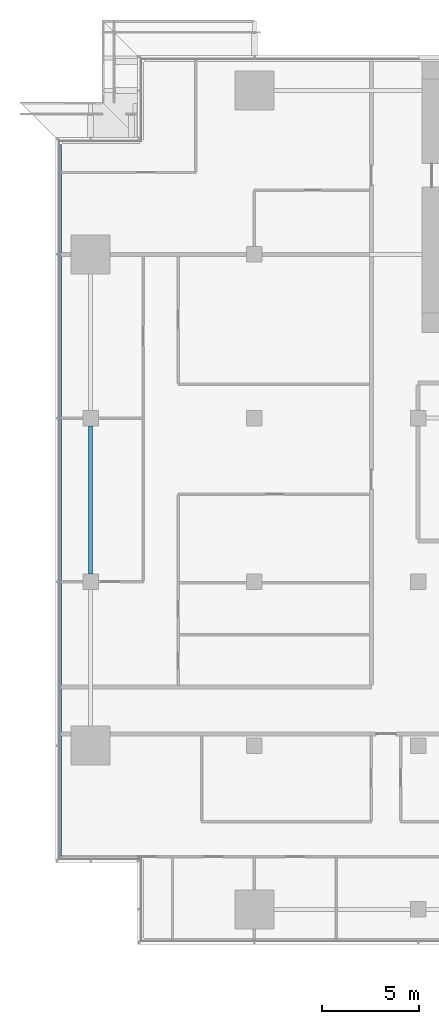
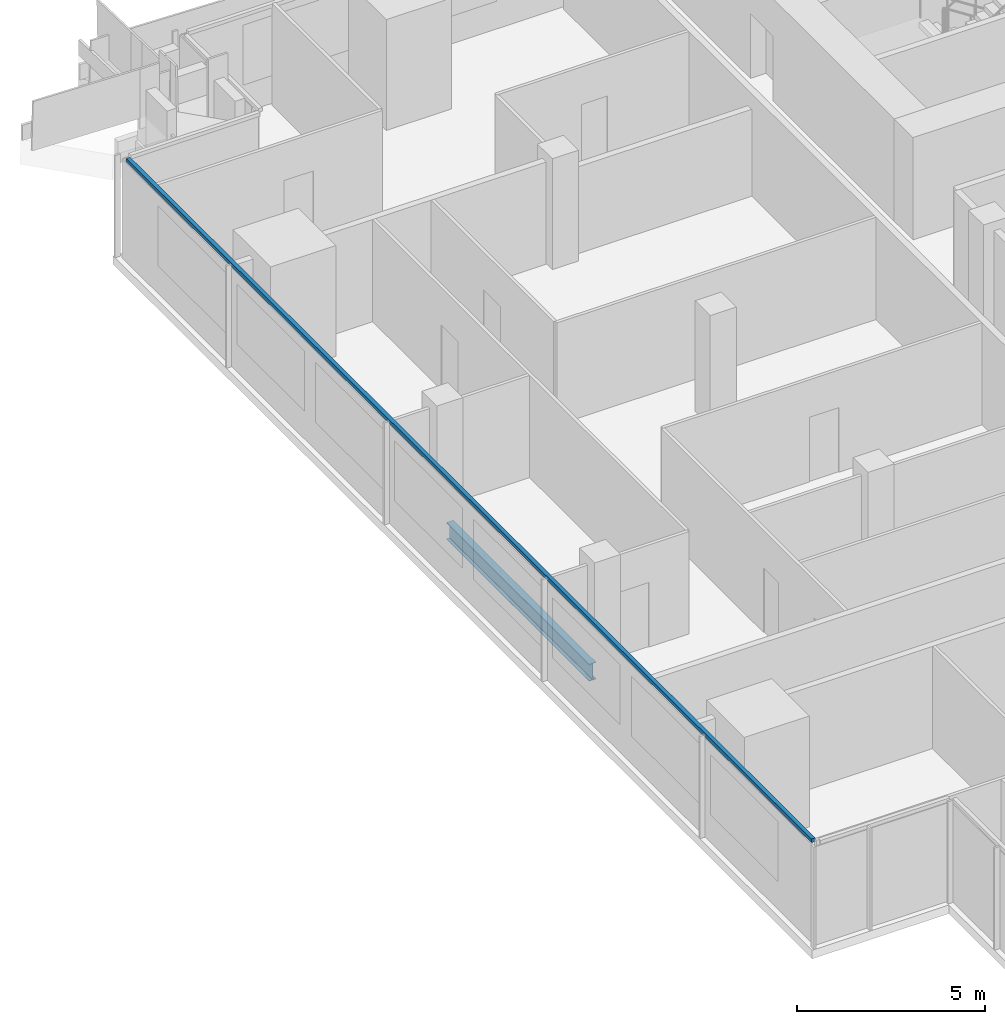
# One storey, part 5 of 30: 1 beam, 1 member, 1 element without a shape of its own.
"""IFC4 building model written with IfcOpenShell, lengths in metres."""

from ifc_helpers import new_model, si_unit, direction, frame, origin, origin_2d, place, context, subcontext, project, spatial, rectangle, i_section, extrude, material, material_profile, profile_set, type_object, element, aggregate, save


model = new_model("IFC4")

# Units and contexts
model_context = context("Model", 3, precision=1e-05, world=origin(), true_north=direction((0.0, 1.0)))
body_context = subcontext(model_context, "Body", "Model", "MODEL_VIEW")
ifc_project = project(units=[si_unit("LENGTHUNIT", "METRE"), si_unit("AREAUNIT", "SQUARE_METRE"), si_unit("VOLUMEUNIT", "CUBIC_METRE"), si_unit("PLANEANGLEUNIT", "RADIAN"), si_unit("MASSUNIT", "GRAM", prefix="KILO")], contexts=[model_context])

# Site, building, storey
site_placement = place(None, origin())
site = spatial("IfcSite", under=ifc_project, at=site_placement, CompositionType="ELEMENT")
building_placement = place(site_placement, origin())
building = spatial("IfcBuilding", under=site, at=building_placement, Name="Saffron Gate Tower", CompositionType="ELEMENT")
storey_placement = place(building_placement, frame((0.0, 0.0, 127.64990234375)))
storey = spatial("IfcBuildingStorey", under=building, at=storey_placement, Name="L30", CompositionType="ELEMENT", Elevation=127.64990234375)

# Beam
ifc_material_1 = material(Name="Structural steel S355", Category="steel")
ifc_material_profile_1 = material_profile(ifc_material_1, i_section(OverallWidth=0.2099609375, OverallDepth=0.550048828125, WebThickness=0.010986328125, FlangeThickness=0.01708984375, FilletRadius=0.02392578125, at=origin_2d()))
ifc_profile_set_1 = profile_set([ifc_material_profile_1], Name="Structural steel S355")
beam_type = type_object("IfcBeamType", Name="B13 IPE 550", PredefinedType="SPANDREL", material=ifc_profile_set_1)
beam_placement = place(storey_placement, frame((49.800048828125, 49.0, -0.554931640625), z_axis=(0.0, 1.0, 0.0), x_axis=(-1.0, 0.0, 0.0)))
element("IfcBeam", 1, at=beam_placement, inside=storey, type_object=beam_type, Name="B13 SPANDREL BEAM", PredefinedType="SPANDREL", context=body_context, shape_type="SweptSolid", body=[
    extrude(i_section(OverallWidth=0.2099609375, OverallDepth=0.550048828125, WebThickness=0.010986328125, FlangeThickness=0.01708984375, FilletRadius=0.02392578125, at=origin_2d()), origin(), (0.0, 0.0, 1.0), 7.60009765625),
])

# Curtain wall, member
ifc_material_2 = material(Name="Aluminium, bronze anodised", Category="aluminium")
curtain_wall_type = type_object("IfcCurtainWallType", Name="CWS2 curtain wall side facades", PredefinedType="NOTDEFINED", material=ifc_material_2)
curtain_wall_placement = place(storey_placement, origin())
curtain_wall = element("IfcCurtainWall", 2, at=curtain_wall_placement, inside=storey, type_object=curtain_wall_type, Name="CWS2 run 10", PredefinedType="NOTDEFINED")
ifc_material_profile_2 = material_profile(ifc_material_2, rectangle(XDim=0.1201171875, YDim=0.1201171875, at=origin_2d()))
ifc_profile_set_2 = profile_set([ifc_material_profile_2], Name="Aluminium, bronze anodised")
member_type = type_object("IfcMemberType", Name="CWS2 head transom", PredefinedType="USERDEFINED", material=ifc_profile_set_2)
member_placement = place(storey_placement, frame((48.248046875, 71.031982421875, 3.260009765625), z_axis=(0.0, -1.0, 0.0), x_axis=(1.0, 0.0, 0.0)))
member = element("IfcMember", 3, at=member_placement, type_object=member_type, Name="CWS2 head transom", ObjectType="TRANSOM", PredefinedType="USERDEFINED", context=body_context, shape_type="SweptSolid", body=[
    extrude(rectangle(XDim=0.1201171875, YDim=0.1201171875, at=origin_2d()), origin(), (0.0, 0.0, 1.0), 36.4638671875),
])
aggregate(curtain_wall, [member])

save(model, "model.ifc")
